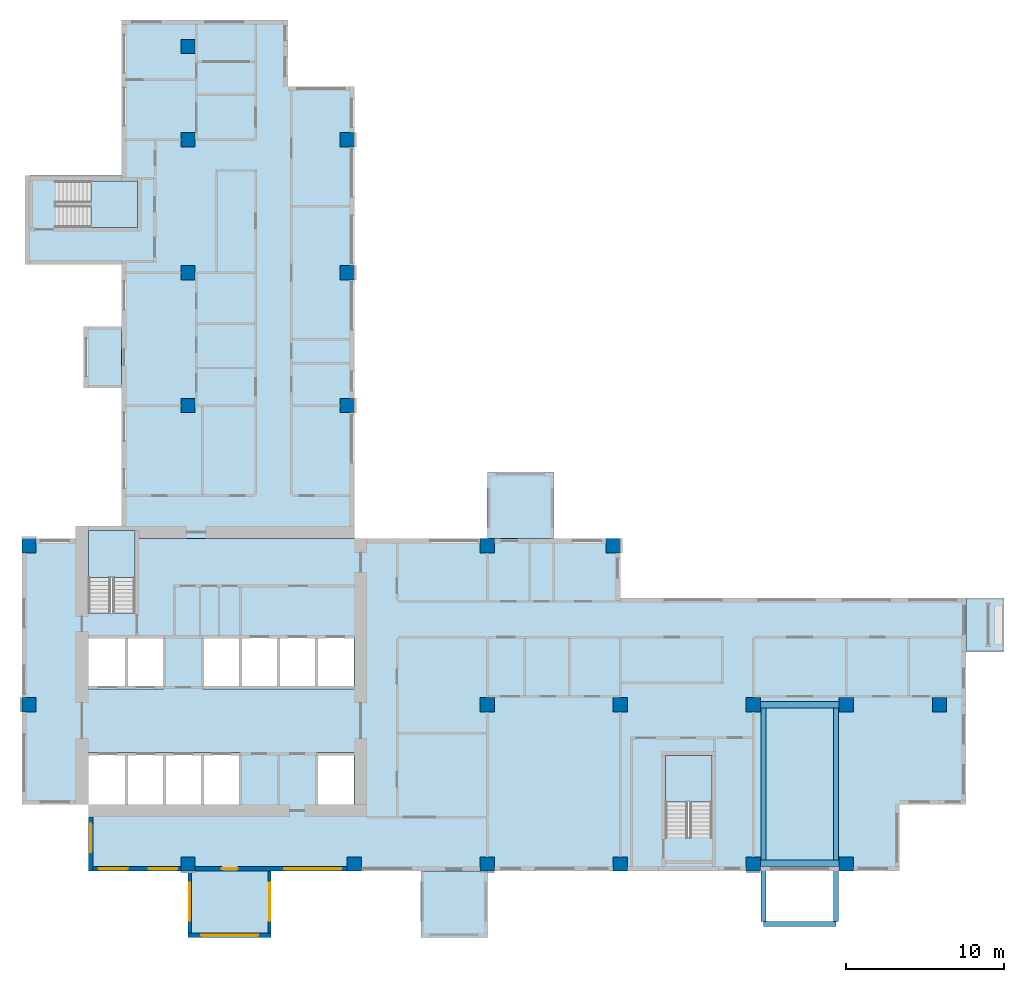
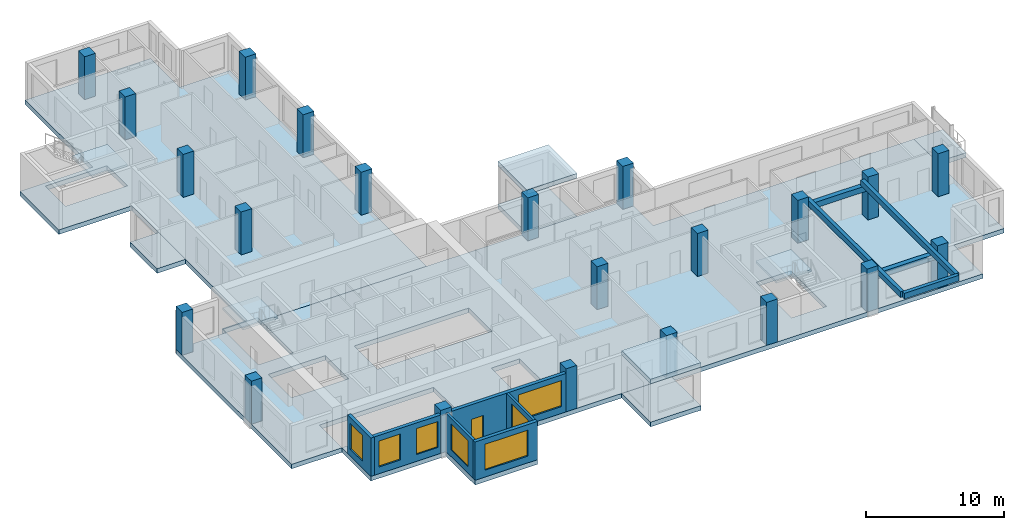
# One storey, part 1 of 12: 22 columns, 12 slabs, 7 windows, 6 walls, 5 beams, 1 door, 8 openings, 3 elements without a shape of their own.
"""IFC4 building model written with IfcOpenShell, lengths in metres."""

from ifc_helpers import new_model, si_unit, direction, frame, frame_2d, origin, origin_2d, place, context, subcontext, project, spatial, polyline, rectangle, outline, extrude, source, transform, mapped, material, layer, layer_set, material_profile, profile_set, type_object, element, fill, aggregate, save


model = new_model("IFC4")

# Units and contexts
model_context = context("Model", 3, precision=1e-05, world=origin(), true_north=direction((0.0, 1.0)))
body_context = subcontext(model_context, "Body", "Model", "MODEL_VIEW")
ifc_project = project(units=[si_unit("LENGTHUNIT", "METRE"), si_unit("AREAUNIT", "SQUARE_METRE"), si_unit("VOLUMEUNIT", "CUBIC_METRE"), si_unit("PLANEANGLEUNIT", "RADIAN"), si_unit("MASSUNIT", "GRAM", prefix="KILO")], contexts=[model_context])

# Site, building, storey
site_placement = place(None, origin())
site = spatial("IfcSite", under=ifc_project, at=site_placement, CompositionType="ELEMENT")
building_placement = place(site_placement, origin())
building = spatial("IfcBuilding", under=site, at=building_placement, Name="Aurelian Terraces", CompositionType="ELEMENT")
storey_placement = place(building_placement, frame((0.0, 0.0, 196.8)))
storey = spatial("IfcBuildingStorey", under=building, at=storey_placement, Name="L43", CompositionType="ELEMENT", Elevation=196.8)

# Columns
ifc_material_1 = material(Name="Concrete fc' 70 MPa", Category="concrete")
ifc_material_profile_1 = material_profile(ifc_material_1, rectangle(XDim=0.9, YDim=0.9, at=origin_2d()))
ifc_profile_set_1 = profile_set([ifc_material_profile_1], Name="Concrete fc' 70 MPa")
column_type = type_object("IfcColumnType", Name="RC COLUMN 900X900 FC70", PredefinedType="COLUMN", material=ifc_profile_set_1)
shared_shape_1 = source(origin(), body_context, "Body", "SweptSolid", [
    extrude(rectangle(XDim=0.9, YDim=0.9, at=origin_2d()), origin(), (0.0, 0.0, 1.0), 3.8),
])
for number, where, z_axis, x_axis, name in (
    (1, (10.5, 0.45, 0.0), (0.0, 0.0, 1.0), (1.0, 0.0, 0.0), "Column 2/A L43"),
    (2, (21.0, 0.45, 0.0), (0.0, 0.0, 1.0), (1.0, 0.0, 0.0), "Column 3/A L43"),
    (3, (29.4, 0.45, 0.0), (0.0, 0.0, 1.0), (1.0, 0.0, 0.0), "Column 4/A L43"),
    (4, (37.8, 0.45, 0.0), (0.0, 0.0, 1.0), (1.0, 0.0, 0.0), "Column 5/A L43"),
    (5, (46.2, 0.45, 0.0), (0.0, 0.0, 1.0), (1.0, 0.0, 0.0), "Column 6/A L43"),
    (6, (52.08, 0.45, 0.0), (0.0, 0.0, 1.0), (1.0, 0.0, 0.0), "Column 7/A L43"),
    (7, (0.45, 10.5, 0.0), (0.0, 0.0, 1.0), (1.0, 0.0, 0.0), "Column 1/B L43"),
    (8, (29.4, 10.5, 0.0), (0.0, 0.0, 1.0), (1.0, 0.0, 0.0), "Column 4/B L43"),
    (9, (37.8, 10.5, 0.0), (0.0, 0.0, 1.0), (1.0, 0.0, 0.0), "Column 5/B L43"),
    (10, (46.2, 10.5, 0.0), (0.0, 0.0, 1.0), (1.0, 0.0, 0.0), "Column 6/B L43"),
    (11, (52.08, 10.5, 0.0), (0.0, 0.0, 1.0), (1.0, 0.0, 0.0), "Column 7/B L43"),
    (12, (57.96, 10.5, 0.0), (0.0, 0.0, 1.0), (1.0, 0.0, 0.0), "Column 8/B L43"),
    (13, (0.45, 20.55, 0.0), (0.0, 0.0, 1.0), (1.0, 0.0, 0.0), "Column 1/C L43"),
    (14, (29.4, 20.55, 0.0), (0.0, 0.0, 1.0), (1.0, 0.0, 0.0), "Column 4/C L43"),
    (15, (37.35, 20.55, 0.0), (0.0, 0.0, 1.0), (1.0, 0.0, 0.0), "Column 5/C L43"),
    (16, (10.5, 29.4, 0.0), (0.0, 0.0, 1.0), (1.0, 0.0, 0.0), "Column 2/D L43"),
    (17, (20.55, 29.4, 0.0), (0.0, 0.0, 1.0), (1.0, 0.0, 0.0), "Column 3/D L43"),
    (18, (10.5, 37.8, 0.0), (0.0, 0.0, 1.0), (1.0, 0.0, 0.0), "Column 2/E L43"),
    (19, (20.55, 37.8, 0.0), (0.0, 0.0, 1.0), (1.0, 0.0, 0.0), "Column 3/E L43"),
    (20, (10.5, 46.2, 0.0), (0.0, 0.0, 1.0), (1.0, 0.0, 0.0), "Column 2/F L43"),
    (21, (20.55, 46.2, 0.0), (0.0, 0.0, 1.0), (1.0, 0.0, 0.0), "Column 3/F L43"),
    (22, (10.5, 52.08, 0.0), (0.0, 0.0, 1.0), (1.0, 0.0, 0.0), "Column 2/G L43"),
):
    element("IfcColumn", number, at=place(storey_placement, frame(where, z_axis=z_axis, x_axis=x_axis)), inside=storey, type_object=column_type, Name=name, PredefinedType="COLUMN", context=body_context, shape_type="MappedRepresentation", body=[
        mapped(shared_shape_1, transform((0.0, 0.0, 0.0), scale=1.0)),
    ])

# Beams
ifc_material_2 = material(Name="Concrete fc' 40 MPa", Category="concrete")
ifc_material_profile_2 = material_profile(ifc_material_2, rectangle(XDim=0.3, YDim=0.5, at=origin_2d()))
ifc_profile_set_2 = profile_set([ifc_material_profile_2], Name="Concrete fc' 40 MPa")
beam_type_1 = type_object("IfcBeamType", Name="CONCRETE CANTILEVER BEAM 300X500", PredefinedType="BEAM", material=ifc_profile_set_2)
shared_shape_2 = source(origin(), body_context, "Body", "SweptSolid", [
    extrude(rectangle(XDim=0.3, YDim=0.5, at=origin_2d()), origin(), (0.0, 0.0, 1.0), 13.7),
])
for number, where, z_axis, x_axis, name in (
    (23, (46.85, -3.2, 3.15), (0.0, 1.0, 0.0), (-1.0, 0.0, 0.0), "Box cantilever beam J62.1"),
    (24, (51.43, -3.2, 3.15), (0.0, 1.0, 0.0), (-1.0, 0.0, 0.0), "Box cantilever beam J62.2"),
):
    element("IfcBeam", number, at=place(storey_placement, frame(where, z_axis=z_axis, x_axis=x_axis)), inside=storey, type_object=beam_type_1, Name=name, PredefinedType="BEAM", context=body_context, shape_type="MappedRepresentation", body=[
        mapped(shared_shape_2, transform((0.0, 0.0, 0.0), scale=1.0)),
    ])
ifc_material_profile_3 = material_profile(ifc_material_2, rectangle(XDim=0.4, YDim=0.5, at=origin_2d()))
ifc_profile_set_3 = profile_set([ifc_material_profile_3], Name="Concrete fc' 40 MPa")
beam_type_2 = type_object("IfcBeamType", Name="CONCRETE EDGE GIRDER 400X500", PredefinedType="BEAM", material=ifc_profile_set_3)
shared_shape_3 = source(origin(), body_context, "Body", "SweptSolid", [
    extrude(rectangle(XDim=0.4, YDim=0.5, at=origin_2d()), origin(), (0.0, 0.0, 1.0), 4.98),
])
for number, where, z_axis, x_axis, name in (
    (25, (46.65, 0.5, 2.65), (1.0, 0.0, 0.0), (0.0, 1.0, 0.0), "Box girder L43 O126"),
    (26, (46.65, 10.5, 2.65), (1.0, 0.0, 0.0), (0.0, 1.0, 0.0), "Box girder L43 I127"),
):
    element("IfcBeam", number, at=place(storey_placement, frame(where, z_axis=z_axis, x_axis=x_axis)), inside=storey, type_object=beam_type_2, Name=name, PredefinedType="BEAM", context=body_context, shape_type="MappedRepresentation", body=[
        mapped(shared_shape_3, transform((0.0, 0.0, 0.0), scale=1.0)),
    ])
shared_shape_4 = source(origin(), body_context, "Body", "SweptSolid", [
    extrude(rectangle(XDim=0.3, YDim=0.5, at=origin_2d()), origin(), (0.0, 0.0, 1.0), 4.58),
])
beam_placement = place(storey_placement, frame((46.85, -3.35, 3.15), z_axis=(1.0, 0.0, 0.0), x_axis=(0.0, 1.0, 0.0)))
element("IfcBeam", 27, at=beam_placement, inside=storey, type_object=beam_type_1, Name="Box tip beam J62", PredefinedType="BEAM", context=body_context, shape_type="MappedRepresentation", body=[
    mapped(shared_shape_4, transform((0.0, 0.0, 0.0), scale=1.0)),
])

# Slabs
ifc_layer_1 = layer(ifc_material_2, 0.4)
ifc_layer_set_1 = layer_set([ifc_layer_1], Name="PT FLAT PLATE 400")
slab_type_1 = type_object("IfcSlabType", Name="PT FLAT PLATE 400", PredefinedType="FLOOR", material=ifc_layer_set_1)
shared_shape_5 = source(origin(), body_context, "Body", "SweptSolid", [
    extrude(outline(polyline([(0.2, 43.95), (6.3, 43.95), (6.3, 49.56), (6.3, 53.76), (10.5, 53.76), (16.8, 53.76), (16.8, 49.56), (21.0, 49.56), (21.0, 21.0), (7.14, 21.0), (7.14, 21.49), (4.21, 21.49), (4.21, 21.0), (4.2, 21.0), (4.2, 21.6), (6.3, 21.6), (6.3, 38.3), (0.2, 38.3), (0.2, 43.95)]), holes=[polyline([(7.29, 43.59), (2.11, 43.59), (2.11, 40.66), (7.29, 40.66), (7.29, 43.59)])]), origin(), (0.0, 0.0, 1.0), 0.4),
])
slab_1_placement = place(storey_placement, frame((0.0, 0.0, -0.4)))
element("IfcSlab", 28, at=slab_1_placement, inside=storey, type_object=slab_type_1, Name="Floor slab W L43", PredefinedType="FLOOR", context=body_context, shape_type="MappedRepresentation", body=[
    mapped(shared_shape_5, transform((0.0, 0.0, 0.0), scale=1.0)),
])
shared_shape_6 = source(origin(), body_context, "Body", "SweptSolid", [
    extrude(outline(polyline([(59.64, 4.2), (55.44, 4.2), (55.44, 0.0), (21.0, 0.0), (4.2, 0.0), (4.2, 4.2), (0.0, 4.2), (0.0, 21.0), (4.21, 21.0), (4.21, 16.31), (7.14, 16.31), (7.14, 21.0), (21.0, 21.0), (37.8, 21.0), (37.8, 17.25), (55.44, 17.25), (59.64, 17.25), (59.64, 16.8), (59.64, 16.65), (59.64, 4.2)]), holes=[polyline([(40.66, 2.11), (43.59, 2.11), (43.59, 7.29), (40.66, 7.29), (40.66, 2.11)]), polyline([(18.61, 7.49), (18.61, 4.21), (20.99, 4.21), (20.99, 7.49), (18.61, 7.49)]), polyline([(20.99, 14.89), (11.41, 14.89), (11.41, 11.51), (20.99, 11.51), (20.99, 14.89)]), polyline([(4.21, 7.49), (4.21, 4.21), (13.79, 4.21), (13.79, 7.49), (4.21, 7.49)]), polyline([(4.21, 14.89), (4.21, 11.51), (8.99, 11.51), (8.99, 14.89), (4.21, 14.89)])]), origin(), (0.0, 0.0, 1.0), 0.4),
])
slab_2_placement = place(storey_placement, frame((0.0, 0.0, -0.4)))
element("IfcSlab", 29, at=slab_2_placement, inside=storey, type_object=slab_type_1, Name="Floor slab S L43", PredefinedType="FLOOR", context=body_context, shape_type="MappedRepresentation", body=[
    mapped(shared_shape_6, transform((0.0, 0.0, 0.0), scale=1.0)),
])
ifc_layer_2 = layer(ifc_material_2, 0.41)
ifc_layer_set_2 = layer_set([ifc_layer_2], Name="Box floor 410")
slab_type_2 = type_object("IfcSlabType", Name="Box floor 410", PredefinedType="NOTDEFINED", material=ifc_layer_set_2)
shared_shape_7 = source(origin(), body_context, "Body", "SweptSolid", [
    extrude(outline(polyline([(25.2, -4.2), (29.4, -4.2), (29.4, 0.0), (25.2, 0.0), (25.2, -4.2)])), origin(), (0.0, 0.0, 1.0), 0.41),
])
slab_3_placement = place(storey_placement, frame((0.0, 0.0, -0.41)))
element("IfcSlab", 30, at=slab_3_placement, inside=storey, type_object=slab_type_2, Name="Box floor L43 J58", PredefinedType="NOTDEFINED", context=body_context, shape_type="MappedRepresentation", body=[
    mapped(shared_shape_7, transform((0.0, 0.0, 0.0), scale=1.0)),
])
ifc_layer_3 = layer(ifc_material_2, 0.4)
ifc_layer_set_3 = layer_set([ifc_layer_3], Name="Box roof 400")
slab_type_3 = type_object("IfcSlabType", Name="Box roof 400", PredefinedType="ROOF", material=ifc_layer_set_3)
shared_shape_8 = source(origin(), body_context, "Body", "SweptSolid", [
    extrude(outline(polyline([(25.2, -4.2), (29.4, -4.2), (29.4, 0.0), (25.2, 0.0), (25.2, -4.2)])), origin(), (0.0, 0.0, 1.0), 0.4),
])
slab_4_placement = place(storey_placement, frame((0.0, 0.0, 3.4)))
element("IfcSlab", 31, at=slab_4_placement, inside=storey, type_object=slab_type_3, Name="Box roof J58", PredefinedType="ROOF", context=body_context, shape_type="MappedRepresentation", body=[
    mapped(shared_shape_8, transform((0.0, 0.0, 0.0), scale=1.0)),
])
shared_shape_9 = source(origin(), body_context, "Body", "SweptSolid", [
    extrude(outline(polyline([(3.9, 34.4), (3.9, 30.5), (6.3, 30.5), (6.3, 34.4), (3.9, 34.4)])), origin(), (0.0, 0.0, 1.0), 0.41),
])
slab_5_placement = place(storey_placement, frame((0.0, 0.0, -0.41)))
element("IfcSlab", 32, at=slab_5_placement, inside=storey, type_object=slab_type_2, Name="Box floor L43 J61", PredefinedType="NOTDEFINED", context=body_context, shape_type="MappedRepresentation", body=[
    mapped(shared_shape_9, transform((0.0, 0.0, 0.0), scale=1.0)),
])
shared_shape_10 = source(origin(), body_context, "Body", "SweptSolid", [
    extrude(outline(polyline([(33.6, 25.2), (29.4, 25.2), (29.4, 21.0), (33.6, 21.0), (33.6, 25.2)])), origin(), (0.0, 0.0, 1.0), 0.41),
])
slab_6_placement = place(storey_placement, frame((0.0, 0.0, -0.41)))
element("IfcSlab", 33, at=slab_6_placement, inside=storey, type_object=slab_type_2, Name="Box floor L43 J59", PredefinedType="NOTDEFINED", context=body_context, shape_type="MappedRepresentation", body=[
    mapped(shared_shape_10, transform((0.0, 0.0, 0.0), scale=1.0)),
])
shared_shape_11 = source(origin(), body_context, "Body", "SweptSolid", [
    extrude(outline(polyline([(10.5, -4.2), (15.75, -4.2), (15.75, 0.0), (10.5, 0.0), (10.5, -4.2)])), origin(), (0.0, 0.0, 1.0), 0.41),
])
slab_7_placement = place(storey_placement, frame((0.0, 0.0, -0.41)))
element("IfcSlab", 34, at=slab_7_placement, inside=storey, type_object=slab_type_2, Name="Box floor L43 J60", PredefinedType="NOTDEFINED", context=body_context, shape_type="MappedRepresentation", body=[
    mapped(shared_shape_11, transform((0.0, 0.0, 0.0), scale=1.0)),
])
shared_shape_12 = source(origin(), body_context, "Body", "SweptSolid", [
    extrude(outline(polyline([(33.6, 25.2), (29.4, 25.2), (29.4, 21.0), (33.6, 21.0), (33.6, 25.2)])), origin(), (0.0, 0.0, 1.0), 0.4),
])
slab_8_placement = place(storey_placement, frame((0.0, 0.0, 3.4)))
element("IfcSlab", 35, at=slab_8_placement, inside=storey, type_object=slab_type_3, Name="Box roof J59", PredefinedType="ROOF", context=body_context, shape_type="MappedRepresentation", body=[
    mapped(shared_shape_12, transform((0.0, 0.0, 0.0), scale=1.0)),
])
ifc_layer_4 = layer(ifc_material_2, 0.4)
ifc_layer_set_4 = layer_set([ifc_layer_4], Name="Balcony slab 400")
slab_type_4 = type_object("IfcSlabType", Name="Balcony slab 400", PredefinedType="NOTDEFINED", material=ifc_layer_set_4)
shared_shape_13 = source(origin(), body_context, "Body", "SweptSolid", [
    extrude(outline(polyline([(59.64, 13.875), (59.64, 17.25), (62.04, 17.25), (62.04, 13.875), (59.64, 13.875)])), origin(), (0.0, 0.0, 1.0), 0.4),
])
slab_9_placement = place(storey_placement, frame((0.0, 0.0, -0.4)))
element("IfcSlab", 36, at=slab_9_placement, inside=storey, type_object=slab_type_4, Name="Balcony slab L43 F04.13", PredefinedType="NOTDEFINED", context=body_context, shape_type="MappedRepresentation", body=[
    mapped(shared_shape_13, transform((0.0, 0.0, 0.0), scale=1.0)),
])

# Stair, slab
stair_type = type_object("IfcStairType", Name="Stair 1400", PredefinedType="HALF_TURN_STAIR", material=ifc_material_2)
stair_1_placement = place(storey_placement, origin())
stair_1 = element("IfcStair", 37, at=stair_1_placement, inside=storey, type_object=stair_type, Name="L43 S1", PredefinedType="HALF_TURN_STAIR")
ifc_layer_5 = layer(ifc_material_2, 0.2)
ifc_layer_set_5 = layer_set([ifc_layer_5], Name="Stair landing 200")
slab_type_5 = type_object("IfcSlabType", Name="Stair landing 200", PredefinedType="LANDING", material=ifc_layer_set_5)
shared_shape_14 = source(origin(), body_context, "Body", "SweptSolid", [
    extrude(outline(polyline([(7.15, 18.55), (7.15, 21.5), (4.2, 21.5), (4.2, 18.55), (7.15, 18.55)])), origin(), (0.0, 0.0, 1.0), 0.2),
])
slab_10_placement = place(storey_placement, frame((0.0, 0.0, 1.7)))
slab_10 = element("IfcSlab", 38, at=slab_10_placement, type_object=slab_type_5, Name="S1 landing 1", PredefinedType="LANDING", context=body_context, shape_type="MappedRepresentation", body=[
    mapped(shared_shape_14, transform((0.0, 0.0, 0.0), scale=1.0)),
])
aggregate(stair_1, [slab_10])

stair_2_placement = place(storey_placement, origin())
stair_2 = element("IfcStair", 39, at=stair_2_placement, inside=storey, type_object=stair_type, Name="L43 S2", PredefinedType="HALF_TURN_STAIR")
shared_shape_15 = source(origin(), body_context, "Body", "SweptSolid", [
    extrude(outline(polyline([(43.6, 4.35), (43.6, 7.3), (40.65, 7.3), (40.65, 4.35), (43.6, 4.35)])), origin(), (0.0, 0.0, 1.0), 0.2),
])
slab_11_placement = place(storey_placement, frame((0.0, 0.0, 1.7)))
slab_11 = element("IfcSlab", 40, at=slab_11_placement, type_object=slab_type_5, Name="S2 landing 1", PredefinedType="LANDING", context=body_context, shape_type="MappedRepresentation", body=[
    mapped(shared_shape_15, transform((0.0, 0.0, 0.0), scale=1.0)),
])
aggregate(stair_2, [slab_11])

stair_3_placement = place(storey_placement, origin())
stair_3 = element("IfcStair", 41, at=stair_3_placement, inside=storey, type_object=stair_type, Name="L43 S3", PredefinedType="HALF_TURN_STAIR")
shared_shape_16 = source(origin(), body_context, "Body", "SweptSolid", [
    extrude(outline(polyline([(4.35, 40.65), (7.3, 40.65), (7.3, 43.6), (4.35, 43.6), (4.35, 40.65)])), origin(), (0.0, 0.0, 1.0), 0.2),
])
slab_12_placement = place(storey_placement, frame((0.0, 0.0, 1.7)))
slab_12 = element("IfcSlab", 42, at=slab_12_placement, type_object=slab_type_5, Name="S3 landing 1", PredefinedType="LANDING", context=body_context, shape_type="MappedRepresentation", body=[
    mapped(shared_shape_16, transform((0.0, 0.0, 0.0), scale=1.0)),
])
aggregate(stair_3, [slab_12])

# Wall, opening, window
ifc_material_3 = material(Name="Terracotta rainscreen cladding", Category="masonry")
ifc_layer_6 = layer(ifc_material_3, 0.3)
ifc_layer_set_6 = layer_set([ifc_layer_6], Name="EW-300")
wall_type_1 = type_object("IfcWallType", Name="EW-300", PredefinedType="STANDARD", material=ifc_layer_set_6)
shared_shape_17 = source(origin(), body_context, "Body", "SweptSolid", [
    extrude(rectangle(XDim=3.4, YDim=0.3, at=frame_2d((1.7, 0.0))), origin(), (0.0, 0.0, 1.0), 3.4),
])
wall_1_placement = place(storey_placement, frame((4.35, 3.4, 0.0), z_axis=(0.0, 0.0, 1.0), x_axis=(0.0, -1.0, 0.0)))
wall_1 = element("IfcWall", 43, at=wall_1_placement, inside=storey, type_object=wall_type_1, Name="External wall L43 F22.36", PredefinedType="STANDARD", context=body_context, shape_type="MappedRepresentation", body=[
    mapped(shared_shape_17, transform((0.0, 0.0, 0.0), scale=1.0)),
])
shared_shape_18 = source(origin(), body_context, "Body", "SweptSolid", [
    extrude(rectangle(XDim=1.8, YDim=2.3, at=frame_2d((0.9, 1.15))), frame((0.0, 0.16, 0.0), z_axis=(0.0, -1.0, 0.0), x_axis=(1.0, 0.0, 0.0)), (0.0, 0.0, 1.0), 0.32),
])
opening_1_placement = place(wall_1_placement, frame((0.4, 0.0, 0.6)))
opening_1 = element("IfcOpeningElement", 44, at=opening_1_placement, cuts=wall_1, Name="Opening W1823", PredefinedType="OPENING", context=body_context, shape_type="MappedRepresentation", body=[
    mapped(shared_shape_18, transform((0.0, 0.0, 0.0), scale=1.0)),
])
ifc_material_4 = material(Name="Clear glazing", Category="glass")
window_type_1 = type_object("IfcWindowType", Name="W-1800x2300", PartitioningType="SINGLE_PANEL", PredefinedType="WINDOW", material=ifc_material_4)
shared_shape_19 = source(origin(), body_context, "Body", "SweptSolid", [
    extrude(rectangle(XDim=1.8, YDim=2.3, at=frame_2d((0.9, 1.15))), frame((0.0, 0.03, 0.0), z_axis=(0.0, -1.0, 0.0), x_axis=(1.0, 0.0, 0.0)), (0.0, 0.0, 1.0), 0.06),
])
window_1_placement = place(opening_1_placement, origin())
window_1 = element("IfcWindow", 45, at=window_1_placement, inside=storey, type_object=window_type_1, Name="Window L43 L43-F22-36-0", OverallHeight=2.3, OverallWidth=1.8, PartitioningType="SINGLE_PANEL", PredefinedType="WINDOW", context=body_context, shape_type="MappedRepresentation", body=[
    mapped(shared_shape_19, transform((0.0, 0.0, 0.0), scale=1.0)),
])
fill(opening_1, window_1)

ifc_layer_7 = layer(ifc_material_2, 0.2)
ifc_layer_set_7 = layer_set([ifc_layer_7], Name="BOX BEARING WALL 200")
wall_type_2 = type_object("IfcWallType", Name="BOX BEARING WALL 200", PredefinedType="SOLIDWALL", material=ifc_layer_set_7)
shared_shape_20 = source(origin(), body_context, "Body", "SweptSolid", [
    extrude(rectangle(XDim=3.9, YDim=0.2, at=frame_2d((1.95, 0.0))), origin(), (0.0, 0.0, 1.0), 3.39),
])
wall_2_placement = place(storey_placement, frame((10.6, 0.0, 0.0), z_axis=(0.0, 0.0, 1.0), x_axis=(0.0, -1.0, 0.0)))
wall_2 = element("IfcWall", 46, at=wall_2_placement, inside=storey, type_object=wall_type_2, Name="Box return L43 J60.1", PredefinedType="SOLIDWALL", context=body_context, shape_type="MappedRepresentation", body=[
    mapped(shared_shape_20, transform((0.0, 0.0, 0.0), scale=1.0)),
])
shared_shape_21 = source(origin(), body_context, "Body", "SweptSolid", [
    extrude(rectangle(XDim=2.4, YDim=2.3, at=frame_2d((1.2, 1.15))), frame((0.0, 0.11, 0.0), z_axis=(0.0, -1.0, 0.0), x_axis=(1.0, 0.0, 0.0)), (0.0, 0.0, 1.0), 0.22),
])
opening_2_placement = place(wall_2_placement, frame((0.75, 0.0, 0.6)))
opening_2 = element("IfcOpeningElement", 47, at=opening_2_placement, cuts=wall_2, Name="Opening W2423", PredefinedType="OPENING", context=body_context, shape_type="MappedRepresentation", body=[
    mapped(shared_shape_21, transform((0.0, 0.0, 0.0), scale=1.0)),
])
window_type_2 = type_object("IfcWindowType", Name="W-2400x2300", PartitioningType="SINGLE_PANEL", PredefinedType="WINDOW", material=ifc_material_4)
shared_shape_22 = source(origin(), body_context, "Body", "SweptSolid", [
    extrude(rectangle(XDim=2.4, YDim=2.3, at=frame_2d((1.2, 1.15))), frame((0.0, 0.03, 0.0), z_axis=(0.0, -1.0, 0.0), x_axis=(1.0, 0.0, 0.0)), (0.0, 0.0, 1.0), 0.06),
])
window_2_placement = place(opening_2_placement, origin())
window_2 = element("IfcWindow", 48, at=window_2_placement, inside=storey, type_object=window_type_2, Name="Window L43 J60-S1", OverallHeight=2.3, OverallWidth=2.4, PartitioningType="SINGLE_PANEL", PredefinedType="WINDOW", context=body_context, shape_type="MappedRepresentation", body=[
    mapped(shared_shape_22, transform((0.0, 0.0, 0.0), scale=1.0)),
])
fill(opening_2, window_2)

wall_3_placement = place(storey_placement, frame((15.65, 0.0, 0.0), z_axis=(0.0, 0.0, 1.0), x_axis=(0.0, -1.0, 0.0)))
wall_3 = element("IfcWall", 49, at=wall_3_placement, inside=storey, type_object=wall_type_2, Name="Box return L43 J60.2", PredefinedType="SOLIDWALL", context=body_context, shape_type="MappedRepresentation", body=[
    mapped(shared_shape_20, transform((0.0, 0.0, 0.0), scale=1.0)),
])
opening_3_placement = place(wall_3_placement, frame((0.75, 0.0, 0.6)))
opening_3 = element("IfcOpeningElement", 50, at=opening_3_placement, cuts=wall_3, Name="Opening W2423", PredefinedType="OPENING", context=body_context, shape_type="MappedRepresentation", body=[
    mapped(shared_shape_21, transform((0.0, 0.0, 0.0), scale=1.0)),
])
window_3_placement = place(opening_3_placement, origin())
window_3 = element("IfcWindow", 51, at=window_3_placement, inside=storey, type_object=window_type_2, Name="Window L43 J60-S2", OverallHeight=2.3, OverallWidth=2.4, PartitioningType="SINGLE_PANEL", PredefinedType="WINDOW", context=body_context, shape_type="MappedRepresentation", body=[
    mapped(shared_shape_22, transform((0.0, 0.0, 0.0), scale=1.0)),
])
fill(opening_3, window_3)

# Wall, openings, windows
shared_shape_23 = source(origin(), body_context, "Body", "SweptSolid", [
    extrude(rectangle(XDim=5.85, YDim=0.3, at=frame_2d((2.925, 0.0))), origin(), (0.0, 0.0, 1.0), 3.4),
])
wall_4_placement = place(storey_placement, frame((4.2, 0.15, 0.0), z_axis=(0.0, 0.0, 1.0), x_axis=(1.0, 0.0, 0.0)))
wall_4 = element("IfcWall", 52, at=wall_4_placement, inside=storey, type_object=wall_type_1, Name="External wall L43 F01.1", PredefinedType="STANDARD", context=body_context, shape_type="MappedRepresentation", body=[
    mapped(shared_shape_23, transform((0.0, 0.0, 0.0), scale=1.0)),
])
opening_4_placement = place(wall_4_placement, frame((0.675, 0.0, 0.6)))
opening_4 = element("IfcOpeningElement", 53, at=opening_4_placement, cuts=wall_4, Name="Opening W1823", PredefinedType="OPENING", context=body_context, shape_type="MappedRepresentation", body=[
    mapped(shared_shape_18, transform((0.0, 0.0, 0.0), scale=1.0)),
])
opening_5_placement = place(wall_4_placement, frame((3.825, 0.0, 0.6)))
opening_5 = element("IfcOpeningElement", 54, at=opening_5_placement, cuts=wall_4, Name="Opening W1823", PredefinedType="OPENING", context=body_context, shape_type="MappedRepresentation", body=[
    mapped(shared_shape_18, transform((0.0, 0.0, 0.0), scale=1.0)),
])
window_4_placement = place(opening_4_placement, origin())
window_4 = element("IfcWindow", 55, at=window_4_placement, inside=storey, type_object=window_type_1, Name="Window L43 L43-F01-01-0", OverallHeight=2.3, OverallWidth=1.8, PartitioningType="SINGLE_PANEL", PredefinedType="WINDOW", context=body_context, shape_type="MappedRepresentation", body=[
    mapped(shared_shape_19, transform((0.0, 0.0, 0.0), scale=1.0)),
])
fill(opening_4, window_4)
window_5_placement = place(opening_5_placement, origin())
window_5 = element("IfcWindow", 56, at=window_5_placement, inside=storey, type_object=window_type_1, Name="Window L43 L43-F01-01-1", OverallHeight=2.3, OverallWidth=1.8, PartitioningType="SINGLE_PANEL", PredefinedType="WINDOW", context=body_context, shape_type="MappedRepresentation", body=[
    mapped(shared_shape_19, transform((0.0, 0.0, 0.0), scale=1.0)),
])
fill(opening_5, window_5)

# Wall, openings, window, door
shared_shape_24 = source(origin(), body_context, "Body", "SweptSolid", [
    extrude(rectangle(XDim=9.6, YDim=0.3, at=frame_2d((4.8, 0.0))), origin(), (0.0, 0.0, 1.0), 3.4),
])
wall_5_placement = place(storey_placement, frame((10.95, 0.15, 0.0), z_axis=(0.0, 0.0, 1.0), x_axis=(1.0, 0.0, 0.0)))
wall_5 = element("IfcWall", 57, at=wall_5_placement, inside=storey, type_object=wall_type_1, Name="External wall L43 F01.2", PredefinedType="STANDARD", context=body_context, shape_type="MappedRepresentation", body=[
    mapped(shared_shape_24, transform((0.0, 0.0, 0.0), scale=1.0)),
])
shared_shape_25 = source(origin(), body_context, "Body", "SweptSolid", [
    extrude(rectangle(XDim=3.6, YDim=2.3, at=frame_2d((1.8, 1.15))), frame((0.0, 0.16, 0.0), z_axis=(0.0, -1.0, 0.0), x_axis=(1.0, 0.0, 0.0)), (0.0, 0.0, 1.0), 0.32),
])
opening_6_placement = place(wall_5_placement, frame((5.625, 0.0, 0.6)))
opening_6 = element("IfcOpeningElement", 58, at=opening_6_placement, cuts=wall_5, Name="Opening W3623", PredefinedType="OPENING", context=body_context, shape_type="MappedRepresentation", body=[
    mapped(shared_shape_25, transform((0.0, 0.0, 0.0), scale=1.0)),
])
shared_shape_26 = source(origin(), body_context, "Body", "SweptSolid", [
    extrude(rectangle(XDim=1.0, YDim=2.1, at=frame_2d((0.5, 1.05))), frame((0.0, 0.16, 0.0), z_axis=(0.0, -1.0, 0.0), x_axis=(1.0, 0.0, 0.0)), (0.0, 0.0, 1.0), 0.32),
])
opening_7_placement = place(wall_5_placement, frame((1.675, 0.0, 0.0)))
opening_7 = element("IfcOpeningElement", 59, at=opening_7_placement, cuts=wall_5, Name="Opening 843003", PredefinedType="OPENING", context=body_context, shape_type="MappedRepresentation", body=[
    mapped(shared_shape_26, transform((0.0, 0.0, 0.0), scale=1.0)),
])
window_type_3 = type_object("IfcWindowType", Name="W-3600x2300", PartitioningType="SINGLE_PANEL", PredefinedType="WINDOW", material=ifc_material_4)
shared_shape_27 = source(origin(), body_context, "Body", "SweptSolid", [
    extrude(rectangle(XDim=3.6, YDim=2.3, at=frame_2d((1.8, 1.15))), frame((0.0, 0.03, 0.0), z_axis=(0.0, -1.0, 0.0), x_axis=(1.0, 0.0, 0.0)), (0.0, 0.0, 1.0), 0.06),
])
window_6_placement = place(opening_6_placement, origin())
window_6 = element("IfcWindow", 60, at=window_6_placement, inside=storey, type_object=window_type_3, Name="Window L43 L43-F01-02-1", OverallHeight=2.3, OverallWidth=3.6, PartitioningType="SINGLE_PANEL", PredefinedType="WINDOW", context=body_context, shape_type="MappedRepresentation", body=[
    mapped(shared_shape_27, transform((0.0, 0.0, 0.0), scale=1.0)),
])
fill(opening_6, window_6)
ifc_material_5 = material(Name="Timber door leaf", Category="wood")
door_type = type_object("IfcDoorType", Name="Room door 1000x2100 left", OperationType="SINGLE_SWING_LEFT", PredefinedType="DOOR", material=ifc_material_5)
shared_shape_28 = source(origin(), body_context, "Body", "SweptSolid", [
    extrude(rectangle(XDim=1.0, YDim=2.1, at=frame_2d((0.5, 1.05))), frame((0.0, 0.025, 0.0), z_axis=(0.0, -1.0, 0.0), x_axis=(1.0, 0.0, 0.0)), (0.0, 0.0, 1.0), 0.05),
])
door_placement = place(opening_7_placement, origin())
door = element("IfcDoor", 61, at=door_placement, inside=storey, type_object=door_type, Name="Door 843003", OperationType="SINGLE_SWING_LEFT", OverallHeight=2.1, OverallWidth=1.0, PredefinedType="DOOR", context=body_context, shape_type="MappedRepresentation", body=[
    mapped(shared_shape_28, transform((0.0, 0.0, 0.0), scale=1.0)),
])
fill(opening_7, door)

# Wall, opening, window
ifc_layer_8 = layer(ifc_material_2, 0.3)
ifc_layer_set_8 = layer_set([ifc_layer_8], Name="BOX BEARING WALL 300")
wall_type_3 = type_object("IfcWallType", Name="BOX BEARING WALL 300", PredefinedType="SOLIDWALL", material=ifc_layer_set_8)
shared_shape_29 = source(origin(), body_context, "Body", "SweptSolid", [
    extrude(rectangle(XDim=5.25, YDim=0.3, at=frame_2d((2.625, 0.0))), origin(), (0.0, 0.0, 1.0), 3.39),
])
wall_6_placement = place(storey_placement, frame((10.5, -4.05, 0.0), z_axis=(0.0, 0.0, 1.0), x_axis=(1.0, 0.0, 0.0)))
wall_6 = element("IfcWall", 62, at=wall_6_placement, inside=storey, type_object=wall_type_3, Name="Box wall L43 J60", PredefinedType="SOLIDWALL", context=body_context, shape_type="MappedRepresentation", body=[
    mapped(shared_shape_29, transform((0.0, 0.0, 0.0), scale=1.0)),
])
opening_8_placement = place(wall_6_placement, frame((0.825, 0.0, 0.6)))
opening_8 = element("IfcOpeningElement", 63, at=opening_8_placement, cuts=wall_6, Name="Opening W3623", PredefinedType="OPENING", context=body_context, shape_type="MappedRepresentation", body=[
    mapped(shared_shape_25, transform((0.0, 0.0, 0.0), scale=1.0)),
])
window_7_placement = place(opening_8_placement, origin())
window_7 = element("IfcWindow", 64, at=window_7_placement, inside=storey, type_object=window_type_3, Name="Window L43 J60-F1", OverallHeight=2.3, OverallWidth=3.6, PartitioningType="SINGLE_PANEL", PredefinedType="WINDOW", context=body_context, shape_type="MappedRepresentation", body=[
    mapped(shared_shape_27, transform((0.0, 0.0, 0.0), scale=1.0)),
])
fill(opening_8, window_7)

save(model, "model.ifc")
